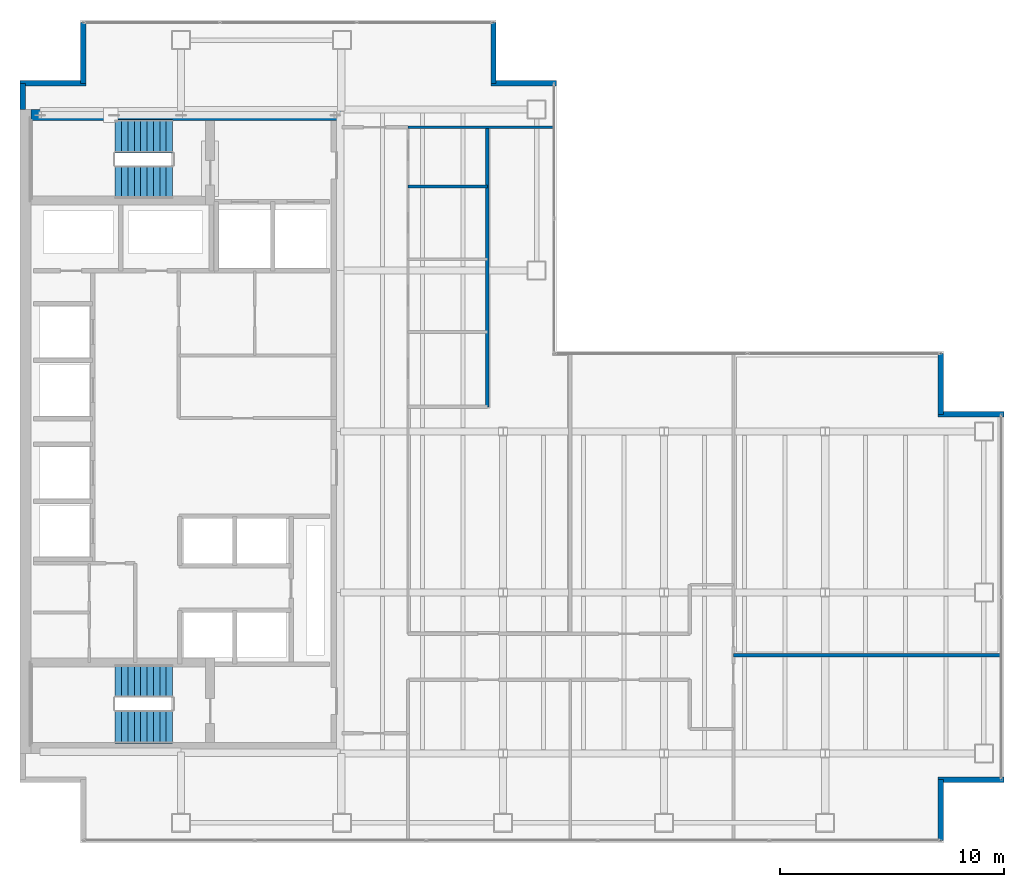
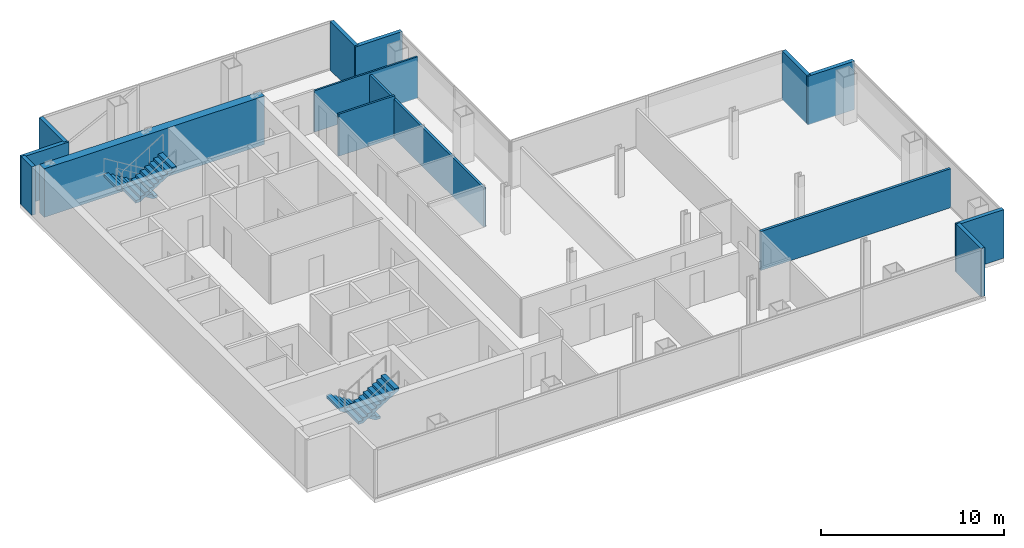
# One storey, part 22 of 23: 14 walls, 4 stair flights, 2 elements without a shape of their own.
"""IFC4 building model written with IfcOpenShell, lengths in metres."""

import ifcopenshell
import ifcopenshell.guid

model = None  # the IFC model being written
_history = None  # IfcOwnerHistory: only IFC2X3 demands one
_inside = {}  # id of a spatial element -> (the spatial element, [elements in it])
_under = {}  # id of a project, library or spatial element -> (it, [spatial elements below it])
_declared = {}  # id of a project -> (the project, [libraries it declares])
_typed = {}  # id of a type object -> (the type object, [elements of that type])
_made_of = {}  # id of a material, layer set ... -> (it, [elements and type objects made of it])


def new_model(schema):
    """Start an empty IFC model of exactly this schema.

    Asked for "IFC4X3", IfcOpenShell would pick the latest addendum, in which some entities
    have other attributes; the version numbers below select the first issue.
    IFC2X3 requires an IfcOwnerHistory on every rooted entity: one is made here for all.
    """
    global model, _history
    if schema == "IFC4X3":
        model = ifcopenshell.file(schema_version=(4, 3, 0, 0))
    else:
        model = ifcopenshell.file(schema=schema)
    _inside.clear()
    _under.clear()
    _declared.clear()
    _typed.clear()
    _made_of.clear()
    _history = None
    if model.schema == "IFC2X3":
        org = make("IfcOrganization", Name="unknown")
        user = make(
            "IfcPersonAndOrganization",
            ThePerson=make("IfcPerson", FamilyName="unknown"),
            TheOrganization=org,
        )
        app = make(
            "IfcApplication",
            ApplicationDeveloper=org,
            Version="unknown",
            ApplicationFullName="unknown",
            ApplicationIdentifier="unknown",
        )
        _history = make(
            "IfcOwnerHistory",
            OwningUser=user,
            OwningApplication=app,
            ChangeAction="ADDED",
            CreationDate=0,
        )
    return model


def make(cls, **values):
    """One entity of the class cls with the attributes given. An attribute that is None is left unset."""
    return model.create_entity(
        cls, **{name: value for name, value in values.items() if value is not None}
    )


def rooted(cls, **values):
    """An entity with a GlobalId (a new one), such as an element, a storey or a relation."""
    return make(cls, GlobalId=ifcopenshell.guid.new(), OwnerHistory=_history, **values)


def si_unit(unit_type, name, prefix=None):
    """IfcSIUnit, for example si_unit("LENGTHUNIT", "METRE", prefix="MILLI")."""
    return make("IfcSIUnit", UnitType=unit_type, Prefix=prefix, Name=name)


def assignment(units):
    """IfcUnitAssignment: the units of a project."""
    return None if units is None else make("IfcUnitAssignment", Units=units)


def point(xyz):
    """IfcCartesianPoint."""
    return None if xyz is None else make("IfcCartesianPoint", Coordinates=xyz)


def direction(xyz):
    """IfcDirection."""
    return None if xyz is None else make("IfcDirection", DirectionRatios=xyz)


def frame(location, z_axis=None, x_axis=None):
    """IfcAxis2Placement3D, a coordinate frame: its origin and axes. An axis left out is left unset."""
    return make(
        "IfcAxis2Placement3D",
        Location=point(location),
        Axis=direction(z_axis),
        RefDirection=direction(x_axis),
    )


def frame_2d(location, x_axis=None):
    """IfcAxis2Placement2D, a coordinate frame in the plane: its origin and x axis."""
    return make(
        "IfcAxis2Placement2D", Location=point(location), RefDirection=direction(x_axis)
    )


def origin():
    """The frame at (0, 0, 0) with its axes left unset."""
    return frame((0.0, 0.0, 0.0))


def place(relative_to, where):
    """IfcLocalPlacement: puts the frame where relative to a parent placement (None: the world)."""
    return make(
        "IfcLocalPlacement", PlacementRelTo=relative_to, RelativePlacement=where
    )


def context(
    kind, dimensions, precision=None, world=None, true_north=None, identifier=None
):
    """IfcGeometricRepresentationContext, for example the 3D "Model" context."""
    return make(
        "IfcGeometricRepresentationContext",
        ContextIdentifier=identifier,
        ContextType=kind,
        CoordinateSpaceDimension=dimensions,
        Precision=precision,
        WorldCoordinateSystem=world,
        TrueNorth=true_north,
    )


def subcontext(parent, identifier, kind, view, scale=None):
    """IfcGeometricRepresentationSubContext, for example "Body" below "Model"."""
    return make(
        "IfcGeometricRepresentationSubContext",
        ContextIdentifier=identifier,
        ContextType=kind,
        ParentContext=parent,
        TargetScale=scale,
        TargetView=view,
    )


def project(units=None, contexts=None):
    """IfcProject with its units and contexts."""
    return rooted(
        "IfcProject",
        Name="project",
        RepresentationContexts=contexts,
        UnitsInContext=assignment(units),
    )


def spatial(cls, under=None, at=None, **own):
    """A site, building, storey or space (cls), placed at a placement, below another one or the project."""
    s = rooted(cls, ObjectPlacement=at, **own)
    if under is not None:
        _under.setdefault(under.id(), (under, []))[1].append(s)
    return s


def polyline(points):
    """IfcPolyline through the points."""
    return make("IfcPolyline", Points=[point(p) for p in points])


def profile(cls, at=None, kind="AREA", **sizes):
    """A parametric profile (cls). Its sizes go by their IFC names, for example OverallWidth=200.0."""
    return make(cls, ProfileType=kind, Position=at, **sizes)


def rectangle(**sizes):
    """IfcRectangleProfileDef."""
    return profile("IfcRectangleProfileDef", **sizes)


def outline(outer, holes=None, kind="AREA"):
    """IfcArbitraryClosedProfileDef: a profile drawn as a closed curve; with holes, ...WithVoids."""
    if holes is None:
        return make("IfcArbitraryClosedProfileDef", ProfileType=kind, OuterCurve=outer)
    return make(
        "IfcArbitraryProfileDefWithVoids",
        ProfileType=kind,
        OuterCurve=outer,
        InnerCurves=holes,
    )


def extrude(swept, where, along, depth):
    """IfcExtrudedAreaSolid: the profile swept, set in the frame where, extruded along a direction by depth."""
    return make(
        "IfcExtrudedAreaSolid",
        SweptArea=swept,
        Position=where,
        ExtrudedDirection=direction(along),
        Depth=depth,
    )


def shape(context_of_items, identifier, shape_type, items):
    """IfcShapeRepresentation: the items that make up one representation, for example the "Body"."""
    return make(
        "IfcShapeRepresentation",
        ContextOfItems=context_of_items,
        RepresentationIdentifier=identifier,
        RepresentationType=shape_type,
        Items=items,
    )


def material(Name=None, Category=None):
    """IfcMaterial."""
    return make("IfcMaterial", Name=Name, Category=Category)


def layer(
    of_material, thickness, ventilated=None, Name=None, Category=None, Priority=None
):
    """IfcMaterialLayer: one layer of a wall or slab, of a material (None: an air gap)."""
    return make(
        "IfcMaterialLayer",
        Material=of_material,
        LayerThickness=thickness,
        IsVentilated=ventilated,
        Name=Name,
        Category=Category,
        Priority=Priority,
    )


def layer_set(layers, Name=None):
    """IfcMaterialLayerSet."""
    return make("IfcMaterialLayerSet", MaterialLayers=layers, LayerSetName=Name)


def made_of(thing, what):
    """Note that an element or type object is made of a material, layer set ...; save() writes the relation."""
    if what is not None:
        _made_of.setdefault(what.id(), (what, []))[1].append(thing)
    return thing


def type_object(cls, material=None, **own):
    """A type object (cls), such as IfcWallType, which elements share."""
    return made_of(rooted(cls, **own), material)


def element(
    cls,
    number,
    at=None,
    inside=None,
    cuts=None,
    type_object=None,
    material=None,
    context=None,
    identifier="Body",
    shape_type=None,
    held_by="IfcProductDefinitionShape",
    body=None,
    shapes=None,
    **own,
):
    """One element of the class cls, such as IfcWall. Its Tag is "e" and its number.

    at: its placement. inside: the storey or other place that contains it. cuts: it is an
    opening in that element (IfcRelVoidsElement). A single representation is given by context,
    identifier, shape_type and body (its items); several are given by shapes. held_by: the class
    of the entity that holds the representations. save() writes the other relations.
    """
    e = rooted(cls, Tag="e%d" % number, ObjectPlacement=at, **own)
    if body is not None:
        shapes = [shape(context, identifier, shape_type, body)]
    if shapes is not None:
        e.Representation = make(held_by, Representations=shapes)
    if inside is not None:
        _inside.setdefault(inside.id(), (inside, []))[1].append(e)
    if cuts is not None:
        rooted(
            "IfcRelVoidsElement", RelatingBuildingElement=cuts, RelatedOpeningElement=e
        )
    if type_object is not None:
        _typed.setdefault(type_object.id(), (type_object, []))[1].append(e)
    return made_of(e, material)


def aggregate(whole, parts):
    """IfcRelAggregates: a whole, such as a stair, and the parts it consists of."""
    return rooted("IfcRelAggregates", RelatingObject=whole, RelatedObjects=parts)


def save(model, path):
    """Write the relations noted so far, then the file.

    IfcRelAggregates (storeys below a building ...), IfcRelContainedInSpatialStructure (elements
    in a storey), IfcRelDefinesByType, IfcRelAssociatesMaterial and IfcRelDeclares: one each for
    every whole, place, type object, material and project.
    """
    for whole, parts in _under.values():
        aggregate(whole, parts)
    for where, things in _inside.values():
        rooted(
            "IfcRelContainedInSpatialStructure",
            RelatedElements=things,
            RelatingStructure=where,
        )
    for kind, things in _typed.values():
        rooted("IfcRelDefinesByType", RelatedObjects=things, RelatingType=kind)
    for what, things in _made_of.values():
        rooted("IfcRelAssociatesMaterial", RelatedObjects=things, RelatingMaterial=what)
    for by, libraries in _declared.values():
        rooted("IfcRelDeclares", RelatingContext=by, RelatedDefinitions=libraries)
    model.write(path)


model = new_model("IFC4")

# Units and contexts
model_context = context("Model", 3, precision=1e-05, world=origin(), true_north=direction((0.0, 1.0)))
body_context = subcontext(model_context, "Body", "Model", "MODEL_VIEW")
ifc_project = project(units=[si_unit("LENGTHUNIT", "METRE"), si_unit("AREAUNIT", "SQUARE_METRE"), si_unit("VOLUMEUNIT", "CUBIC_METRE"), si_unit("PLANEANGLEUNIT", "RADIAN"), si_unit("MASSUNIT", "GRAM", prefix="KILO")], contexts=[model_context])

# Site, building, storey
site_placement = place(None, origin())
site = spatial("IfcSite", under=ifc_project, at=site_placement, CompositionType="ELEMENT")
building_placement = place(site_placement, origin())
building = spatial("IfcBuilding", under=site, at=building_placement, Name="Cobrela Telecom Tower", CompositionType="ELEMENT")
storey_placement = place(building_placement, frame((0.0, 0.0, 173.25)))
storey = spatial("IfcBuildingStorey", under=building, at=storey_placement, Name="L43", CompositionType="ELEMENT", Elevation=173.25)

# Walls
ifc_material_1 = material(Name="Concrete C40/50", Category="concrete")
ifc_layer_1 = layer(ifc_material_1, 0.5)
ifc_layer_set_1 = layer_set([ifc_layer_1], Name="Concrete C40/50")
wall_type_1 = type_object("IfcWallType", Name="WALL-CORE-C40-500", PredefinedType="SHEAR", material=ifc_layer_set_1)
wall_1_placement = place(storey_placement, frame((0.5, 35.75, 0.0), z_axis=(0.0, 0.0, 1.0), x_axis=(1.0, 0.0, 0.0)))
element("IfcWall", 1, at=wall_1_placement, inside=storey, type_object=wall_type_1, Name="L43 North Core Shear Wall", PredefinedType="SHEAR", context=body_context, shape_type="SweptSolid", body=[
    extrude(rectangle(XDim=13.89990234375, YDim=0.5, at=frame_2d((6.949951171875, 0.0))), origin(), (0.0, 0.0, 1.0), 3.239990234375),
])
ifc_layer_2 = layer(ifc_material_1, 0.239990234375)
ifc_layer_set_2 = layer_set([ifc_layer_2], Name="Concrete C40/50")
wall_type_2 = type_object("IfcWallType", Name="WALL-EXT-300", PredefinedType="STANDARD", material=ifc_layer_set_2)
wall_2_placement = place(storey_placement, frame((0.1201171875, 36.0, 0.0), z_axis=(0.0, 0.0, 1.0), x_axis=(0.0, 1.0, 0.0)))
element("IfcWall", 2, at=wall_2_placement, inside=storey, type_object=wall_type_2, Name="L43 Insulated Facade Wall 04", PredefinedType="STANDARD", context=body_context, shape_type="SweptSolid", body=[
    extrude(rectangle(XDim=1.169921875, YDim=0.239990234375, at=frame_2d((0.5849609375, 0.0))), origin(), (0.0, 0.0, 1.0), 3.239990234375),
])
wall_3_placement = place(storey_placement, frame((0.0, 37.169921875, 0.0), z_axis=(0.0, 0.0, 1.0), x_axis=(1.0, 0.0, 0.0)))
element("IfcWall", 3, at=wall_3_placement, inside=storey, type_object=wall_type_2, Name="L43 Insulated Facade Wall 05", PredefinedType="STANDARD", context=body_context, shape_type="SweptSolid", body=[
    extrude(rectangle(XDim=2.949951171875, YDim=0.239990234375, at=frame_2d((1.47509765625, 0.0))), origin(), (0.0, 0.0, 1.0), 3.239990234375),
])
for number, where, z_axis, x_axis, name in (
    (4, (2.830078125, 37.169921875, 0.0), (0.0, 0.0, 1.0), (0.0, 1.0, 0.0), "L43 Insulated Facade Wall 06"),
    (5, (21.169921875, 39.8798828125, 0.0), (0.0, 0.0, 1.0), (0.0, -1.0, 0.0), "L43 Insulated Facade Wall 08"),
):
    element("IfcWall", number, at=place(storey_placement, frame(where, z_axis=z_axis, x_axis=x_axis)), inside=storey, type_object=wall_type_2, Name=name, PredefinedType="STANDARD", context=body_context, shape_type="SweptSolid", body=[
        extrude(rectangle(XDim=2.7099609375, YDim=0.239990234375, at=frame_2d((1.35498046875, 0.0))), origin(), (0.0, 0.0, 1.0), 3.239990234375),
    ])
wall_4_placement = place(storey_placement, frame((21.050048828125, 37.169921875, 0.0), z_axis=(0.0, 0.0, 1.0), x_axis=(1.0, 0.0, 0.0)))
element("IfcWall", 6, at=wall_4_placement, inside=storey, type_object=wall_type_2, Name="L43 Insulated Facade Wall 09", PredefinedType="STANDARD", context=body_context, shape_type="SweptSolid", body=[
    extrude(rectangle(XDim=2.949951171875, YDim=0.239990234375, at=frame_2d((1.47509765625, 0.0))), origin(), (0.0, 0.0, 1.0), 3.239990234375),
])
wall_5_placement = place(storey_placement, frame((41.169921875, 25.080078125, 0.0), z_axis=(0.0, 0.0, 1.0), x_axis=(0.0, -1.0, 0.0)))
element("IfcWall", 7, at=wall_5_placement, inside=storey, type_object=wall_type_2, Name="L43 Insulated Facade Wall 12", PredefinedType="STANDARD", context=body_context, shape_type="SweptSolid", body=[
    extrude(rectangle(XDim=2.7099609375, YDim=0.239990234375, at=frame_2d((1.35498046875, 0.0))), origin(), (0.0, 0.0, 1.0), 3.239990234375),
])
for number, where, z_axis, x_axis, name in (
    (8, (41.050048828125, 22.3701171875, 0.0), (0.0, 0.0, 1.0), (1.0, 0.0, 0.0), "L43 Insulated Facade Wall 13"),
    (9, (44.0, 6.030029296875, 0.0), (0.0, 0.0, 1.0), (-1.0, 0.0, 0.0), "L43 Insulated Facade Wall 15"),
):
    element("IfcWall", number, at=place(storey_placement, frame(where, z_axis=z_axis, x_axis=x_axis)), inside=storey, type_object=wall_type_2, Name=name, PredefinedType="STANDARD", context=body_context, shape_type="SweptSolid", body=[
        extrude(rectangle(XDim=2.949951171875, YDim=0.239990234375, at=frame_2d((1.47509765625, 0.0))), origin(), (0.0, 0.0, 1.0), 3.239990234375),
    ])
wall_6_placement = place(storey_placement, frame((41.169921875, 6.030029296875, 0.0), z_axis=(0.0, 0.0, 1.0), x_axis=(0.0, -1.0, 0.0)))
element("IfcWall", 10, at=wall_6_placement, inside=storey, type_object=wall_type_2, Name="L43 Insulated Facade Wall 16", PredefinedType="STANDARD", context=body_context, shape_type="SweptSolid", body=[
    extrude(rectangle(XDim=2.7099609375, YDim=0.239990234375, at=frame_2d((1.35498046875, 0.0))), origin(), (0.0, 0.0, 1.0), 3.239990234375),
])
ifc_material_2 = material(Name="Fire-Rated Gypsum Plasterboard")
ifc_layer_3 = layer(ifc_material_2, 0.110107421875)
ifc_layer_set_3 = layer_set([ifc_layer_3], Name="Fire-Rated Gypsum Plasterboard")
wall_type_3 = type_object("IfcWallType", Name="WALL-PART-110", PredefinedType="PARTITIONING", material=ifc_layer_set_3)
wall_7_placement = place(storey_placement, frame((17.35009765625, 35.199951171875, 0.0), z_axis=(0.0, 0.0, 1.0), x_axis=(1.0, 0.0, 0.0)))
element("IfcWall", 11, at=wall_7_placement, inside=storey, type_object=wall_type_3, Name="L43 Interior Partition W-NW-S", PredefinedType="PARTITIONING", context=body_context, shape_type="SweptSolid", body=[
    extrude(rectangle(XDim=6.52978515625, YDim=0.110107421875, at=frame_2d((3.264892578125, 0.0))), origin(), (0.0, 0.0, 1.0), 2.758056640625),
])
ifc_layer_4 = layer(ifc_material_2, 0.125)
ifc_layer_set_4 = layer_set([ifc_layer_4], Name="Fire-Rated Gypsum Plasterboard")
wall_type_4 = type_object("IfcWallType", Name="WALL-PART-125", PredefinedType="PARTITIONING", material=ifc_layer_set_4)
wall_8_placement = place(storey_placement, frame((17.35009765625, 32.550048828125, 0.0), z_axis=(0.0, 0.0, 1.0), x_axis=(1.0, 0.0, 0.0)))
element("IfcWall", 12, at=wall_8_placement, inside=storey, type_object=wall_type_4, Name="L43 Interior Partition W-WCD-3", PredefinedType="PARTITIONING", context=body_context, shape_type="SweptSolid", body=[
    extrude(rectangle(XDim=3.5498046875, YDim=0.125, at=frame_2d((1.77490234375, 0.0))), origin(), (0.0, 0.0, 1.0), 2.80810546875),
])
ifc_layer_5 = layer(ifc_material_2, 0.14990234375)
ifc_layer_set_5 = layer_set([ifc_layer_5], Name="Fire-Rated Gypsum Plasterboard")
wall_type_5 = type_object("IfcWallType", Name="WALL-PART-150", PredefinedType="PARTITIONING", material=ifc_layer_set_5)
wall_9_placement = place(storey_placement, frame((20.89990234375, 22.699951171875, 0.0), z_axis=(0.0, 0.0, 1.0), x_axis=(0.0, 1.0, 0.0)))
element("IfcWall", 13, at=wall_9_placement, inside=storey, type_object=wall_type_5, Name="L43 Interior Partition W-WC-E", PredefinedType="PARTITIONING", context=body_context, shape_type="SweptSolid", body=[
    extrude(rectangle(XDim=12.5, YDim=0.14990234375, at=frame_2d((6.25, 0.0))), origin(), (0.0, 0.0, 1.0), 2.60302734375),
])
ifc_layer_6 = layer(ifc_material_2, 0.159912109375)
ifc_layer_set_6 = layer_set([ifc_layer_6], Name="Fire-Rated Gypsum Plasterboard")
wall_type_6 = type_object("IfcWallType", Name="WALL-PART-160", PredefinedType="PARTITIONING", material=ifc_layer_set_6)
wall_10_placement = place(storey_placement, frame((31.89990234375, 11.60009765625, 0.0), z_axis=(0.0, 0.0, 1.0), x_axis=(1.0, 0.0, 0.0)))
element("IfcWall", 14, at=wall_10_placement, inside=storey, type_object=wall_type_6, Name="L43 Interior Partition W-FE-H", PredefinedType="PARTITIONING", context=body_context, shape_type="SweptSolid", body=[
    extrude(rectangle(XDim=11.97998046875, YDim=0.159912109375, at=frame_2d((5.989990234375, 0.0))), origin(), (0.0, 0.0, 1.0), 2.60302734375),
])

# Stair, stair flights
stair_type = type_object("IfcStairType", Name="STAIR-CORE", PredefinedType="HALF_TURN_STAIR", material=ifc_material_1)
stair_1_placement = place(storey_placement, origin())
stair_1 = element("IfcStair", 15, at=stair_1_placement, inside=storey, type_object=stair_type, Name="L43 Smokeproof Exit Stair ST1", PredefinedType="HALF_TURN_STAIR")
stair_flight_type = type_object("IfcStairFlightType", Name="FLIGHT-CORE", PredefinedType="STRAIGHT", material=ifc_material_1)
stair_flight_1_placement = place(storey_placement, frame((6.820068359375, 34.800048828125, 0.0), z_axis=(0.0, 0.0, 1.0), x_axis=(-1.0, 0.0, 0.0)))
stair_flight_1 = element("IfcStairFlight", 16, at=stair_flight_1_placement, type_object=stair_flight_type, Name="ST1 flight 1", NumberOfRisers=10, NumberOfTreads=9, PredefinedType="STRAIGHT", RiserHeight=0.175, TreadLength=0.285, context=body_context, shape_type="SweptSolid", body=[
    extrude(outline(polyline([(0.0, 0.0), (0.0, 0.175048828125), (0.284912109375, 0.175048828125), (0.284912109375, 0.35009765625), (0.570068359375, 0.35009765625), (0.570068359375, 0.52490234375), (0.85498046875, 0.52490234375), (0.85498046875, 0.699951171875), (1.139892578125, 0.699951171875), (1.139892578125, 0.875), (1.425048828125, 0.875), (1.425048828125, 1.050048828125), (1.7099609375, 1.050048828125), (1.7099609375, 1.22509765625), (1.9951171875, 1.22509765625), (1.9951171875, 1.39990234375), (2.280029296875, 1.39990234375), (2.280029296875, 1.574951171875), (2.56494140625, 1.574951171875), (2.56494140625, 1.75), (2.56494140625, 1.399169921875), (0.286376953125, 0.0), (0.0, 0.0)])), frame((0.0, 0.75, 0.0), z_axis=(0.0, -1.0, 0.0), x_axis=(1.0, 0.0, 0.0)), (0.0, 0.0, 1.0), 1.5),
])
stair_flight_2_placement = place(storey_placement, frame((4.2548828125, 32.75, 1.75), z_axis=(0.0, 0.0, 1.0), x_axis=(1.0, 0.0, 0.0)))
stair_flight_2 = element("IfcStairFlight", 17, at=stair_flight_2_placement, type_object=stair_flight_type, Name="ST1 flight 2", NumberOfRisers=10, NumberOfTreads=9, PredefinedType="STRAIGHT", RiserHeight=0.175, TreadLength=0.285, context=body_context, shape_type="SweptSolid", body=[
    extrude(outline(polyline([(0.0, 0.0), (0.0, 0.175048828125), (0.284912109375, 0.175048828125), (0.284912109375, 0.35009765625), (0.570068359375, 0.35009765625), (0.570068359375, 0.52490234375), (0.85498046875, 0.52490234375), (0.85498046875, 0.699951171875), (1.139892578125, 0.699951171875), (1.139892578125, 0.875), (1.425048828125, 0.875), (1.425048828125, 1.050048828125), (1.7099609375, 1.050048828125), (1.7099609375, 1.22509765625), (1.9951171875, 1.22509765625), (1.9951171875, 1.39990234375), (2.280029296875, 1.39990234375), (2.280029296875, 1.574951171875), (2.56494140625, 1.574951171875), (2.56494140625, 1.75), (2.56494140625, 1.399169921875), (0.286376953125, 0.0), (0.0, 0.0)])), frame((0.0, 0.75, 0.0), z_axis=(0.0, -1.0, 0.0), x_axis=(1.0, 0.0, 0.0)), (0.0, 0.0, 1.0), 1.5),
])
aggregate(stair_1, [stair_flight_1, stair_flight_2])

stair_2_placement = place(storey_placement, origin())
stair_2 = element("IfcStair", 18, at=stair_2_placement, inside=storey, type_object=stair_type, Name="L43 Smokeproof Exit Stair ST2", PredefinedType="HALF_TURN_STAIR")
stair_flight_3_placement = place(storey_placement, frame((6.820068359375, 10.449951171875, 0.0), z_axis=(0.0, 0.0, 1.0), x_axis=(-1.0, 0.0, 0.0)))
stair_flight_3 = element("IfcStairFlight", 19, at=stair_flight_3_placement, type_object=stair_flight_type, Name="ST2 flight 1", NumberOfRisers=10, NumberOfTreads=9, PredefinedType="STRAIGHT", RiserHeight=0.175, TreadLength=0.285, context=body_context, shape_type="SweptSolid", body=[
    extrude(outline(polyline([(0.0, 0.0), (0.0, 0.175048828125), (0.284912109375, 0.175048828125), (0.284912109375, 0.35009765625), (0.570068359375, 0.35009765625), (0.570068359375, 0.52490234375), (0.85498046875, 0.52490234375), (0.85498046875, 0.699951171875), (1.139892578125, 0.699951171875), (1.139892578125, 0.875), (1.425048828125, 0.875), (1.425048828125, 1.050048828125), (1.7099609375, 1.050048828125), (1.7099609375, 1.22509765625), (1.9951171875, 1.22509765625), (1.9951171875, 1.39990234375), (2.280029296875, 1.39990234375), (2.280029296875, 1.574951171875), (2.56494140625, 1.574951171875), (2.56494140625, 1.75), (2.56494140625, 1.399169921875), (0.286376953125, 0.0), (0.0, 0.0)])), frame((0.0, 0.75, 0.0), z_axis=(0.0, -1.0, 0.0), x_axis=(1.0, 0.0, 0.0)), (0.0, 0.0, 1.0), 1.5),
])
stair_flight_4_placement = place(storey_placement, frame((4.2548828125, 8.39990234375, 1.75), z_axis=(0.0, 0.0, 1.0), x_axis=(1.0, 0.0, 0.0)))
stair_flight_4 = element("IfcStairFlight", 20, at=stair_flight_4_placement, type_object=stair_flight_type, Name="ST2 flight 2", NumberOfRisers=10, NumberOfTreads=9, PredefinedType="STRAIGHT", RiserHeight=0.175, TreadLength=0.285, context=body_context, shape_type="SweptSolid", body=[
    extrude(outline(polyline([(0.0, 0.0), (0.0, 0.175048828125), (0.284912109375, 0.175048828125), (0.284912109375, 0.35009765625), (0.570068359375, 0.35009765625), (0.570068359375, 0.52490234375), (0.85498046875, 0.52490234375), (0.85498046875, 0.699951171875), (1.139892578125, 0.699951171875), (1.139892578125, 0.875), (1.425048828125, 0.875), (1.425048828125, 1.050048828125), (1.7099609375, 1.050048828125), (1.7099609375, 1.22509765625), (1.9951171875, 1.22509765625), (1.9951171875, 1.39990234375), (2.280029296875, 1.39990234375), (2.280029296875, 1.574951171875), (2.56494140625, 1.574951171875), (2.56494140625, 1.75), (2.56494140625, 1.399169921875), (0.286376953125, 0.0), (0.0, 0.0)])), frame((0.0, 0.75, 0.0), z_axis=(0.0, -1.0, 0.0), x_axis=(1.0, 0.0, 0.0)), (0.0, 0.0, 1.0), 1.5),
])
aggregate(stair_2, [stair_flight_3, stair_flight_4])

save(model, "model.ifc")
